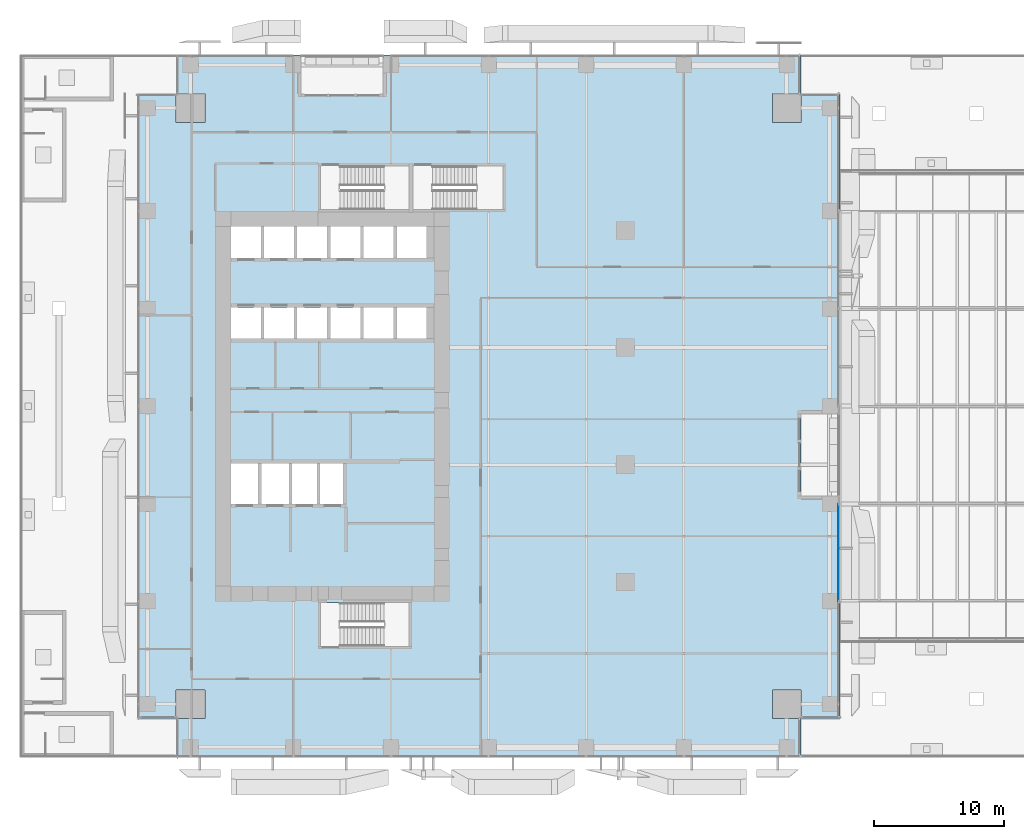
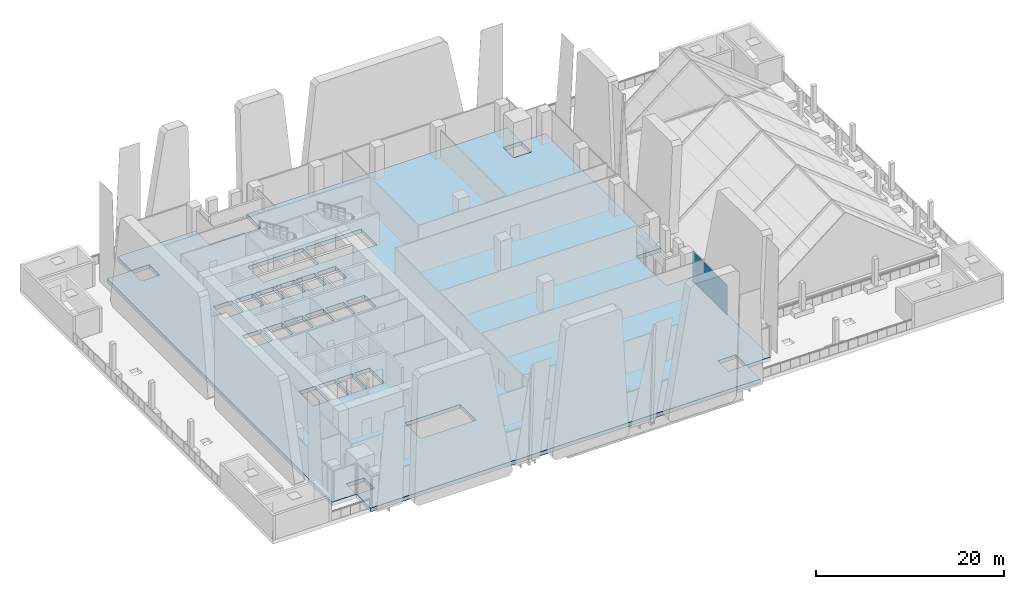
# One storey, part 28 of 46: 1 plate, 1 slab, 1 element without a shape of its own.
"""IFC4 building model written with IfcOpenShell, lengths in metres."""

from ifc_helpers import new_model, si_unit, direction, frame, origin, origin_2d, place, context, subcontext, project, spatial, polyline, rectangle, outline, extrude, source, transform, mapped, material, layer, layer_set, type_object, element, aggregate, save


model = new_model("IFC4")

# Units and contexts
model_context = context("Model", 3, precision=1e-05, world=origin(), true_north=direction((0.0, 1.0)))
body_context = subcontext(model_context, "Body", "Model", "MODEL_VIEW")
ifc_project = project(units=[si_unit("LENGTHUNIT", "METRE"), si_unit("AREAUNIT", "SQUARE_METRE"), si_unit("VOLUMEUNIT", "CUBIC_METRE"), si_unit("PLANEANGLEUNIT", "RADIAN"), si_unit("MASSUNIT", "GRAM", prefix="KILO")], contexts=[model_context])

# Site, building, storey
site_placement = place(None, origin())
site = spatial("IfcSite", under=ifc_project, at=site_placement, CompositionType="ELEMENT")
building_placement = place(site_placement, origin())
building = spatial("IfcBuilding", under=site, at=building_placement, Name="Khomas Fold Tower", CompositionType="ELEMENT")
storey_placement = place(building_placement, frame((0.0, 0.0, 33.0)))
storey = spatial("IfcBuildingStorey", under=building, at=storey_placement, Name="L06", CompositionType="ELEMENT", Elevation=33.0)

# Slab
ifc_material_1 = material(Name="Concrete C40/50", Category="concrete")
ifc_layer_1 = layer(ifc_material_1, 0.5)
ifc_layer_set_1 = layer_set([ifc_layer_1], Name="Concrete C40/50")
slab_type = type_object("IfcSlabType", Name="RC floor slab 500", PredefinedType="FLOOR", material=ifc_layer_set_1)
shared_shape_1 = source(origin(), body_context, "Body", "SweptSolid", [
    extrude(outline(polyline([(0.0, 3.0), (2.9951171875, 3.0), (2.9951171875, 5.205078125), (5.205078125, 5.205078125), (5.205078125, 2.9951171875), (3.0, 2.9951171875), (3.0, 0.0), (51.0, 0.0), (51.0, 2.9951171875), (48.794921875, 2.9951171875), (48.794921875, 5.205078125), (51.0048828125, 5.205078125), (51.0048828125, 3.0), (54.0, 3.0), (54.0, 20.10009765625), (51.0, 20.10009765625), (51.0, 26.39990234375), (54.0, 26.39990234375), (54.0, 51.0), (51.0048828125, 51.0), (51.0048828125, 48.794921875), (48.794921875, 48.794921875), (48.794921875, 51.0048828125), (51.0, 51.0048828125), (51.0, 54.0), (18.89990234375, 54.0), (18.89990234375, 51.0), (12.60009765625, 51.0), (12.60009765625, 54.0), (3.0, 54.0), (3.0, 51.0048828125), (5.205078125, 51.0048828125), (5.205078125, 48.794921875), (2.9951171875, 48.794921875), (2.9951171875, 51.0), (0.0, 51.0), (0.0, 3.0)]), holes=[polyline([(7.199951171875, 19.5), (7.199951171875, 22.60009765625), (9.300048828125, 22.60009765625), (9.300048828125, 19.5), (7.199951171875, 19.5)]), polyline([(7.199951171875, 32.199951171875), (7.199951171875, 34.60009765625), (9.5, 34.60009765625), (9.5, 32.199951171875), (7.199951171875, 32.199951171875)]), polyline([(7.199951171875, 38.39990234375), (7.199951171875, 40.800048828125), (9.5, 40.800048828125), (9.5, 38.39990234375), (7.199951171875, 38.39990234375)]), polyline([(9.550048828125, 19.5), (9.550048828125, 22.60009765625), (11.64990234375, 22.60009765625), (11.64990234375, 19.5), (9.550048828125, 19.5)]), polyline([(9.75, 32.199951171875), (9.75, 34.60009765625), (12.050048828125, 34.60009765625), (12.050048828125, 32.199951171875), (9.75, 32.199951171875)]), polyline([(9.75, 38.39990234375), (9.75, 40.800048828125), (12.050048828125, 40.800048828125), (12.050048828125, 38.39990234375), (9.75, 38.39990234375)]), polyline([(11.89990234375, 19.5), (11.89990234375, 22.60009765625), (13.800048828125, 22.60009765625), (13.800048828125, 19.5), (11.89990234375, 19.5)]), polyline([(12.300048828125, 32.199951171875), (12.300048828125, 34.60009765625), (14.60009765625, 34.60009765625), (14.60009765625, 32.199951171875), (12.300048828125, 32.199951171875)]), polyline([(12.300048828125, 38.39990234375), (12.300048828125, 40.800048828125), (14.60009765625, 40.800048828125), (14.60009765625, 38.39990234375), (12.300048828125, 38.39990234375)]), polyline([(14.050048828125, 19.5), (14.050048828125, 22.60009765625), (15.949951171875, 22.60009765625), (15.949951171875, 19.5), (14.050048828125, 19.5)]), polyline([(14.10009765625, 8.550048828125), (14.10009765625, 11.89990234375), (20.89990234375, 11.89990234375), (20.89990234375, 8.550048828125), (14.10009765625, 8.550048828125)]), polyline([(14.10009765625, 42.10009765625), (14.10009765625, 45.449951171875), (20.89990234375, 45.449951171875), (20.89990234375, 42.10009765625), (14.10009765625, 42.10009765625)]), polyline([(14.85009765625, 32.199951171875), (14.85009765625, 34.60009765625), (17.14990234375, 34.60009765625), (17.14990234375, 32.199951171875), (14.85009765625, 32.199951171875)]), polyline([(14.85009765625, 38.39990234375), (14.85009765625, 40.800048828125), (17.14990234375, 40.800048828125), (17.14990234375, 38.39990234375), (14.85009765625, 38.39990234375)]), polyline([(17.39990234375, 32.199951171875), (17.39990234375, 34.60009765625), (19.699951171875, 34.60009765625), (19.699951171875, 32.199951171875), (17.39990234375, 32.199951171875)]), polyline([(17.39990234375, 38.39990234375), (17.39990234375, 40.800048828125), (19.699951171875, 40.800048828125), (19.699951171875, 38.39990234375), (17.39990234375, 38.39990234375)]), polyline([(19.949951171875, 32.199951171875), (19.949951171875, 34.60009765625), (22.25, 34.60009765625), (22.25, 32.199951171875), (19.949951171875, 32.199951171875)]), polyline([(19.949951171875, 38.39990234375), (19.949951171875, 40.800048828125), (22.25, 40.800048828125), (22.25, 38.39990234375), (19.949951171875, 38.39990234375)]), polyline([(21.199951171875, 42.10009765625), (21.199951171875, 45.449951171875), (28.10009765625, 45.449951171875), (28.10009765625, 42.10009765625), (21.199951171875, 42.10009765625)])]), origin(), (0.0, 0.0, 1.0), 0.5),
])
slab_placement = place(storey_placement, frame((0.0, 0.0, -0.5)))
element("IfcSlab", 1, at=slab_placement, inside=storey, type_object=slab_type, Name="S-L06", PredefinedType="FLOOR", context=body_context, shape_type="MappedRepresentation", body=[
    mapped(shared_shape_1, transform((0.0, 0.0, 0.0))),
])

# Curtain wall, plate
ifc_material_2 = material(Name="Aluminium framed double glazing", Category="aluminium")
curtain_wall_type = type_object("IfcCurtainWallType", Name="SK-Unitised clear-glass wall, growing floors CW1", PredefinedType="NOTDEFINED", material=ifc_material_2)
curtain_wall_placement = place(storey_placement, origin())
curtain_wall = element("IfcCurtainWall", 2, at=curtain_wall_placement, inside=storey, type_object=curtain_wall_type, Name="CW1 run L06 03-0", PredefinedType="NOTDEFINED")
ifc_material_3 = material(Name="Clear double glazed unit")
ifc_layer_2 = layer(ifc_material_3, 0.031982421875)
ifc_layer_set_2 = layer_set([ifc_layer_2], Name="Clear double glazed unit")
plate_type = type_object("IfcPlateType", Name="SK-Unitised clear-glass wall, growing floors glass panel CW1-P", PredefinedType="CURTAIN_PANEL", material=ifc_layer_set_2)
shared_shape_2 = source(origin(), body_context, "Body", "SweptSolid", [
    extrude(rectangle(XDim=7.43994140625, YDim=0.031982421875, at=origin_2d()), origin(), (0.0, 0.0, 1.0), 3.8798828125),
])
plate_placement = place(storey_placement, frame((53.89990234375, 15.75, 0.0), z_axis=(0.0, 0.0, 1.0), x_axis=(0.0, 1.0, 0.0)))
plate = element("IfcPlate", 3, at=plate_placement, type_object=plate_type, Name="CW1 glass panel 3", PredefinedType="CURTAIN_PANEL", context=body_context, shape_type="MappedRepresentation", body=[
    mapped(shared_shape_2, transform((0.0, 0.0, 0.0))),
])
aggregate(curtain_wall, [plate])

save(model, "model.ifc")
